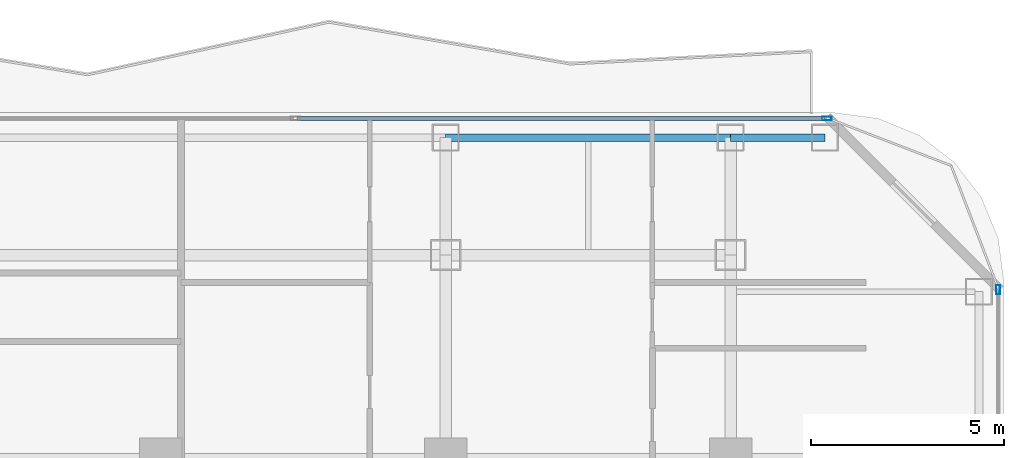
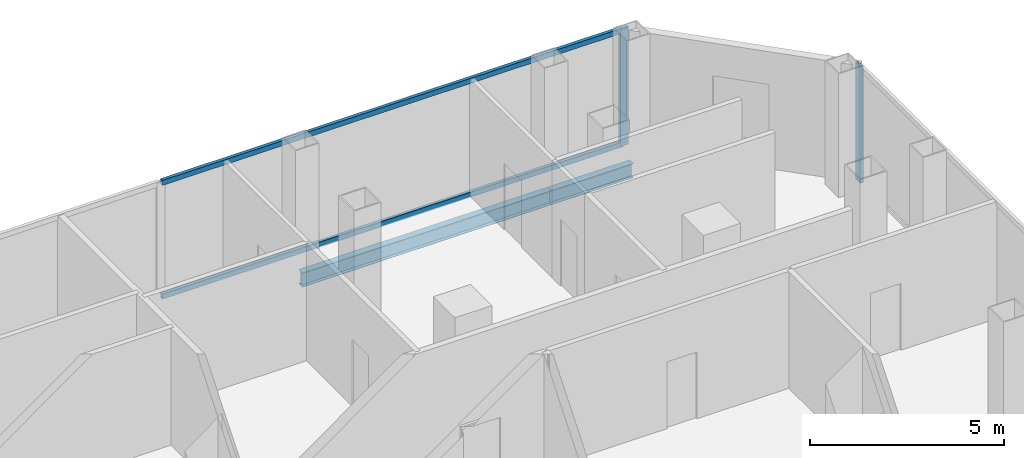
# One storey, part 16 of 25: 4 members, 2 beams, 2 elements without a shape of their own.
"""IFC4 building model written with IfcOpenShell, lengths in metres."""

import ifcopenshell
import ifcopenshell.guid

model = None  # the IFC model being written
_history = None  # IfcOwnerHistory: only IFC2X3 demands one
_inside = {}  # id of a spatial element -> (the spatial element, [elements in it])
_under = {}  # id of a project, library or spatial element -> (it, [spatial elements below it])
_declared = {}  # id of a project -> (the project, [libraries it declares])
_typed = {}  # id of a type object -> (the type object, [elements of that type])
_made_of = {}  # id of a material, layer set ... -> (it, [elements and type objects made of it])


def new_model(schema):
    """Start an empty IFC model of exactly this schema.

    Asked for "IFC4X3", IfcOpenShell would pick the latest addendum, in which some entities
    have other attributes; the version numbers below select the first issue.
    IFC2X3 requires an IfcOwnerHistory on every rooted entity: one is made here for all.
    """
    global model, _history
    if schema == "IFC4X3":
        model = ifcopenshell.file(schema_version=(4, 3, 0, 0))
    else:
        model = ifcopenshell.file(schema=schema)
    _inside.clear()
    _under.clear()
    _declared.clear()
    _typed.clear()
    _made_of.clear()
    _history = None
    if model.schema == "IFC2X3":
        org = make("IfcOrganization", Name="unknown")
        user = make(
            "IfcPersonAndOrganization",
            ThePerson=make("IfcPerson", FamilyName="unknown"),
            TheOrganization=org,
        )
        app = make(
            "IfcApplication",
            ApplicationDeveloper=org,
            Version="unknown",
            ApplicationFullName="unknown",
            ApplicationIdentifier="unknown",
        )
        _history = make(
            "IfcOwnerHistory",
            OwningUser=user,
            OwningApplication=app,
            ChangeAction="ADDED",
            CreationDate=0,
        )
    return model


def make(cls, **values):
    """One entity of the class cls with the attributes given. An attribute that is None is left unset."""
    return model.create_entity(
        cls, **{name: value for name, value in values.items() if value is not None}
    )


def rooted(cls, **values):
    """An entity with a GlobalId (a new one), such as an element, a storey or a relation."""
    return make(cls, GlobalId=ifcopenshell.guid.new(), OwnerHistory=_history, **values)


def si_unit(unit_type, name, prefix=None):
    """IfcSIUnit, for example si_unit("LENGTHUNIT", "METRE", prefix="MILLI")."""
    return make("IfcSIUnit", UnitType=unit_type, Prefix=prefix, Name=name)


def assignment(units):
    """IfcUnitAssignment: the units of a project."""
    return None if units is None else make("IfcUnitAssignment", Units=units)


def point(xyz):
    """IfcCartesianPoint."""
    return None if xyz is None else make("IfcCartesianPoint", Coordinates=xyz)


def direction(xyz):
    """IfcDirection."""
    return None if xyz is None else make("IfcDirection", DirectionRatios=xyz)


def frame(location, z_axis=None, x_axis=None):
    """IfcAxis2Placement3D, a coordinate frame: its origin and axes. An axis left out is left unset."""
    return make(
        "IfcAxis2Placement3D",
        Location=point(location),
        Axis=direction(z_axis),
        RefDirection=direction(x_axis),
    )


def frame_2d(location, x_axis=None):
    """IfcAxis2Placement2D, a coordinate frame in the plane: its origin and x axis."""
    return make(
        "IfcAxis2Placement2D", Location=point(location), RefDirection=direction(x_axis)
    )


def origin():
    """The frame at (0, 0, 0) with its axes left unset."""
    return frame((0.0, 0.0, 0.0))


def origin_2d():
    """The frame at (0, 0) in the plane with its x axis left unset."""
    return frame_2d((0.0, 0.0))


def place(relative_to, where):
    """IfcLocalPlacement: puts the frame where relative to a parent placement (None: the world)."""
    return make(
        "IfcLocalPlacement", PlacementRelTo=relative_to, RelativePlacement=where
    )


def context(
    kind, dimensions, precision=None, world=None, true_north=None, identifier=None
):
    """IfcGeometricRepresentationContext, for example the 3D "Model" context."""
    return make(
        "IfcGeometricRepresentationContext",
        ContextIdentifier=identifier,
        ContextType=kind,
        CoordinateSpaceDimension=dimensions,
        Precision=precision,
        WorldCoordinateSystem=world,
        TrueNorth=true_north,
    )


def subcontext(parent, identifier, kind, view, scale=None):
    """IfcGeometricRepresentationSubContext, for example "Body" below "Model"."""
    return make(
        "IfcGeometricRepresentationSubContext",
        ContextIdentifier=identifier,
        ContextType=kind,
        ParentContext=parent,
        TargetScale=scale,
        TargetView=view,
    )


def project(units=None, contexts=None):
    """IfcProject with its units and contexts."""
    return rooted(
        "IfcProject",
        Name="project",
        RepresentationContexts=contexts,
        UnitsInContext=assignment(units),
    )


def spatial(cls, under=None, at=None, **own):
    """A site, building, storey or space (cls), placed at a placement, below another one or the project."""
    s = rooted(cls, ObjectPlacement=at, **own)
    if under is not None:
        _under.setdefault(under.id(), (under, []))[1].append(s)
    return s


def profile(cls, at=None, kind="AREA", **sizes):
    """A parametric profile (cls). Its sizes go by their IFC names, for example OverallWidth=200.0."""
    return make(cls, ProfileType=kind, Position=at, **sizes)


def hollow_rectangle(**sizes):
    """IfcRectangleHollowProfileDef."""
    return profile("IfcRectangleHollowProfileDef", **sizes)


def i_section(**sizes):
    """IfcIShapeProfileDef."""
    return profile("IfcIShapeProfileDef", **sizes)


def extrude(swept, where, along, depth):
    """IfcExtrudedAreaSolid: the profile swept, set in the frame where, extruded along a direction by depth."""
    return make(
        "IfcExtrudedAreaSolid",
        SweptArea=swept,
        Position=where,
        ExtrudedDirection=direction(along),
        Depth=depth,
    )


def shape(context_of_items, identifier, shape_type, items):
    """IfcShapeRepresentation: the items that make up one representation, for example the "Body"."""
    return make(
        "IfcShapeRepresentation",
        ContextOfItems=context_of_items,
        RepresentationIdentifier=identifier,
        RepresentationType=shape_type,
        Items=items,
    )


def material(Name=None, Category=None):
    """IfcMaterial."""
    return make("IfcMaterial", Name=Name, Category=Category)


def layer(
    of_material, thickness, ventilated=None, Name=None, Category=None, Priority=None
):
    """IfcMaterialLayer: one layer of a wall or slab, of a material (None: an air gap)."""
    return make(
        "IfcMaterialLayer",
        Material=of_material,
        LayerThickness=thickness,
        IsVentilated=ventilated,
        Name=Name,
        Category=Category,
        Priority=Priority,
    )


def layer_set(layers, Name=None):
    """IfcMaterialLayerSet."""
    return make("IfcMaterialLayerSet", MaterialLayers=layers, LayerSetName=Name)


def material_profile(
    of_material, cross_section, Name=None, Category=None, Priority=None
):
    """IfcMaterialProfile: a cross section and its material."""
    return make(
        "IfcMaterialProfile",
        Name=Name,
        Material=of_material,
        Profile=cross_section,
        Priority=Priority,
        Category=Category,
    )


def profile_set(profiles, Name=None, composite=None):
    """IfcMaterialProfileSet."""
    return make(
        "IfcMaterialProfileSet",
        Name=Name,
        MaterialProfiles=profiles,
        CompositeProfile=composite,
    )


def made_of(thing, what):
    """Note that an element or type object is made of a material, layer set ...; save() writes the relation."""
    if what is not None:
        _made_of.setdefault(what.id(), (what, []))[1].append(thing)
    return thing


def type_object(cls, material=None, **own):
    """A type object (cls), such as IfcWallType, which elements share."""
    return made_of(rooted(cls, **own), material)


def element(
    cls,
    number,
    at=None,
    inside=None,
    cuts=None,
    type_object=None,
    material=None,
    context=None,
    identifier="Body",
    shape_type=None,
    held_by="IfcProductDefinitionShape",
    body=None,
    shapes=None,
    **own,
):
    """One element of the class cls, such as IfcWall. Its Tag is "e" and its number.

    at: its placement. inside: the storey or other place that contains it. cuts: it is an
    opening in that element (IfcRelVoidsElement). A single representation is given by context,
    identifier, shape_type and body (its items); several are given by shapes. held_by: the class
    of the entity that holds the representations. save() writes the other relations.
    """
    e = rooted(cls, Tag="e%d" % number, ObjectPlacement=at, **own)
    if body is not None:
        shapes = [shape(context, identifier, shape_type, body)]
    if shapes is not None:
        e.Representation = make(held_by, Representations=shapes)
    if inside is not None:
        _inside.setdefault(inside.id(), (inside, []))[1].append(e)
    if cuts is not None:
        rooted(
            "IfcRelVoidsElement", RelatingBuildingElement=cuts, RelatedOpeningElement=e
        )
    if type_object is not None:
        _typed.setdefault(type_object.id(), (type_object, []))[1].append(e)
    return made_of(e, material)


def aggregate(whole, parts):
    """IfcRelAggregates: a whole, such as a stair, and the parts it consists of."""
    return rooted("IfcRelAggregates", RelatingObject=whole, RelatedObjects=parts)


def save(model, path):
    """Write the relations noted so far, then the file.

    IfcRelAggregates (storeys below a building ...), IfcRelContainedInSpatialStructure (elements
    in a storey), IfcRelDefinesByType, IfcRelAssociatesMaterial and IfcRelDeclares: one each for
    every whole, place, type object, material and project.
    """
    for whole, parts in _under.values():
        aggregate(whole, parts)
    for where, things in _inside.values():
        rooted(
            "IfcRelContainedInSpatialStructure",
            RelatedElements=things,
            RelatingStructure=where,
        )
    for kind, things in _typed.values():
        rooted("IfcRelDefinesByType", RelatedObjects=things, RelatingType=kind)
    for what, things in _made_of.values():
        rooted("IfcRelAssociatesMaterial", RelatedObjects=things, RelatingMaterial=what)
    for by, libraries in _declared.values():
        rooted("IfcRelDeclares", RelatingContext=by, RelatedDefinitions=libraries)
    model.write(path)


model = new_model("IFC4")

# Units and contexts
model_context = context("Model", 3, precision=1e-05, world=origin(), true_north=direction((0.0, 1.0)))
body_context = subcontext(model_context, "Body", "Model", "MODEL_VIEW")
ifc_project = project(units=[si_unit("LENGTHUNIT", "METRE"), si_unit("AREAUNIT", "SQUARE_METRE"), si_unit("VOLUMEUNIT", "CUBIC_METRE"), si_unit("PLANEANGLEUNIT", "RADIAN"), si_unit("MASSUNIT", "GRAM", prefix="KILO")], contexts=[model_context])

# Site, building, storey
site_placement = place(None, origin())
site = spatial("IfcSite", under=ifc_project, at=site_placement, CompositionType="ELEMENT")
building_placement = place(site_placement, origin())
building = spatial("IfcBuilding", under=site, at=building_placement, Name="Khorvyn Point Tower", CompositionType="ELEMENT")
storey_placement = place(building_placement, frame((0.0, 0.0, 171.89990234375)))
storey = spatial("IfcBuildingStorey", under=building, at=storey_placement, Name="L42", CompositionType="ELEMENT", Elevation=171.89990234375)

# Curtain wall, member
ifc_material_1 = material(Name="Anodised aluminium 6063-T6 and laminated Low-E glass", Category="aluminium")
ifc_layer = layer(ifc_material_1, 0.18994140625)
ifc_layer_set = layer_set([ifc_layer], Name="Stick-Built Acoustic Curtain Wall CW-SYS-03")
curtain_wall_type = type_object("IfcCurtainWallType", Name="Stick-Built Acoustic Curtain Wall CW-SYS-03", PredefinedType="NOTDEFINED", material=ifc_layer_set)
curtain_wall_1_placement = place(storey_placement, origin())
curtain_wall_1 = element("IfcCurtainWall", 1, at=curtain_wall_1_placement, inside=storey, type_object=curtain_wall_type, Name="Curtain Wall", PredefinedType="NOTDEFINED")
ifc_material_2 = material(Name="Anodised aluminium 6063-T6", Category="aluminium")
ifc_material_profile_1 = material_profile(ifc_material_2, hollow_rectangle(XDim=0.10009765625, YDim=0.239990234375, WallThickness=0.0048828125, at=origin_2d()))
ifc_profile_set_1 = profile_set([ifc_material_profile_1], Name="Anodised aluminium 6063-T6 ALU-MUL-100x240")
member_type_1 = type_object("IfcMemberType", Name="Anodised Aluminium 6063-T6 Mullion ALU-MUL-100x240", PredefinedType="MULLION", material=ifc_profile_set_1)
member_1_placement = place(storey_placement, frame((17.300048828125, 23.64990234375, 0.0), z_axis=(0.0, 0.0, 1.0), x_axis=(0.0, 1.0, 0.0)))
member_1 = element("IfcMember", 2, at=member_1_placement, type_object=member_type_1, Name="Transom", PredefinedType="MULLION", context=body_context, shape_type="SweptSolid", body=[
    extrude(hollow_rectangle(XDim=0.10009765625, YDim=0.239990234375, WallThickness=0.0048828125, at=origin_2d()), origin(), (0.0, 0.0, 1.0), 3.68017578125),
])

curtain_wall_2_placement = place(storey_placement, origin())
curtain_wall_2 = element("IfcCurtainWall", 3, at=curtain_wall_2_placement, inside=storey, type_object=curtain_wall_type, Name="Curtain Wall", PredefinedType="NOTDEFINED")
member_2_placement = place(storey_placement, frame((21.75, 19.199951171875, 0.0), z_axis=(0.0, 0.0, 1.0), x_axis=(1.0, 0.0, 0.0)))
member_2 = element("IfcMember", 4, at=member_2_placement, type_object=member_type_1, Name="Transom", PredefinedType="MULLION", context=body_context, shape_type="SweptSolid", body=[
    extrude(hollow_rectangle(XDim=0.10009765625, YDim=0.239990234375, WallThickness=0.0048828125, at=origin_2d()), origin(), (0.0, 0.0, 1.0), 3.68017578125),
])
aggregate(curtain_wall_2, [member_2])

# Member
ifc_material_profile_2 = material_profile(ifc_material_2, hollow_rectangle(XDim=0.10009765625, YDim=0.159912109375, WallThickness=0.00439453125, at=origin_2d()))
ifc_profile_set_2 = profile_set([ifc_material_profile_2], Name="Anodised aluminium 6063-T6 ALU-TRN-100x160")
member_type_2 = type_object("IfcMemberType", Name="Anodised Aluminium 6063-T6 Transom ALU-TRN-100x160", PredefinedType="USERDEFINED", material=ifc_profile_set_2)
member_3_placement = place(storey_placement, frame((3.54638671875, 23.64990234375, 0.050048828125), z_axis=(1.0, 0.0, 0.0), x_axis=(0.0, 1.0, 0.0)))
member_3 = element("IfcMember", 5, at=member_3_placement, type_object=member_type_2, Name="Transom", ObjectType="TRANSOM", PredefinedType="USERDEFINED", context=body_context, shape_type="SweptSolid", body=[
    extrude(hollow_rectangle(XDim=0.10009765625, YDim=0.159912109375, WallThickness=0.00439453125, at=origin_2d()), origin(), (0.0, 0.0, 1.0), 13.70361328125),
])

member_4_placement = place(storey_placement, frame((3.54638671875, 23.64990234375, 3.630126953125), z_axis=(1.0, 0.0, 0.0), x_axis=(0.0, 1.0, 0.0)))
member_4 = element("IfcMember", 6, at=member_4_placement, type_object=member_type_2, Name="Transom", ObjectType="TRANSOM", PredefinedType="USERDEFINED", context=body_context, shape_type="SweptSolid", body=[
    extrude(hollow_rectangle(XDim=0.10009765625, YDim=0.159912109375, WallThickness=0.00439453125, at=origin_2d()), origin(), (0.0, 0.0, 1.0), 13.70361328125),
])

aggregate(curtain_wall_1, [member_1, member_3, member_4])

# Beams
ifc_material_3 = material(Name="Steel S355", Category="steel")
ifc_material_profile_3 = material_profile(ifc_material_3, i_section(OverallWidth=0.199951171875, OverallDepth=0.449951171875, WebThickness=0.009033203125, FlangeThickness=0.013916015625, at=origin_2d()))
ifc_profile_set_3 = profile_set([ifc_material_profile_3], Name="Steel S355 H450x200x9x14")
beam_type = type_object("IfcBeamType", Name="Steel S355 Spandrel H450x200x9x14", PredefinedType="SPANDREL", material=ifc_profile_set_3)
beam_1_placement = place(storey_placement, frame((7.39990234375, 23.14990234375, -0.44482421875), z_axis=(1.0, 0.0, 0.0), x_axis=(0.0, 1.0, 0.0)))
element("IfcBeam", 7, at=beam_1_placement, inside=storey, type_object=beam_type, Name="Beam", PredefinedType="SPANDREL", context=body_context, shape_type="SweptSolid", body=[
    extrude(i_section(OverallWidth=0.199951171875, OverallDepth=0.449951171875, WebThickness=0.009033203125, FlangeThickness=0.013916015625, at=origin_2d()), origin(), (0.0, 0.0, 1.0), 7.400146484375),
])
beam_2_placement = place(storey_placement, frame((14.800048828125, 23.14990234375, -0.44482421875), z_axis=(1.0, 0.0, 0.0), x_axis=(0.0, 1.0, 0.0)))
element("IfcBeam", 8, at=beam_2_placement, inside=storey, type_object=beam_type, Name="Beam", PredefinedType="SPANDREL", context=body_context, shape_type="SweptSolid", body=[
    extrude(i_section(OverallWidth=0.199951171875, OverallDepth=0.449951171875, WebThickness=0.009033203125, FlangeThickness=0.013916015625, at=origin_2d()), origin(), (0.0, 0.0, 1.0), 2.449951171875),
])

save(model, "model.ifc")
